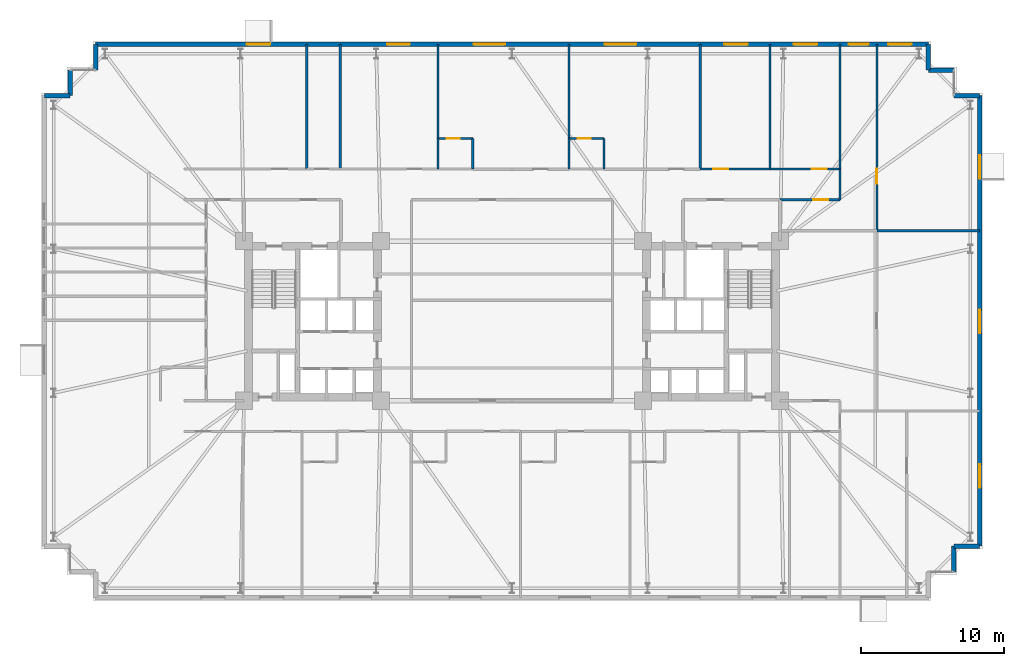
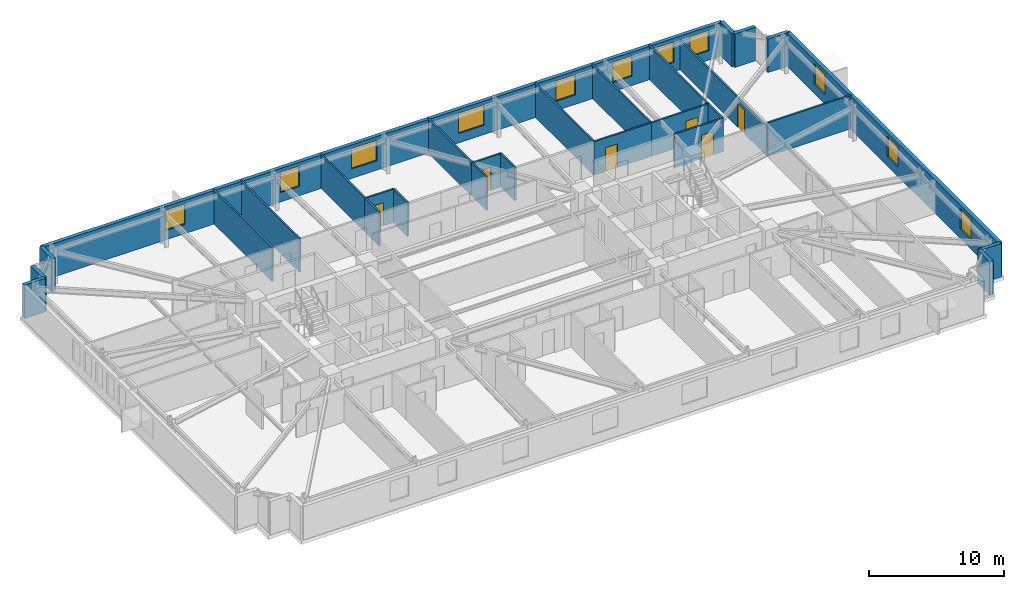
# One storey, part 18 of 21: 29 walls, 11 windows, 6 doors, 17 openings.
"""IFC4 building model written with IfcOpenShell, lengths in metres."""

from ifc_helpers import new_model, si_unit, direction, frame, frame_2d, origin, place, context, subcontext, project, spatial, rectangle, extrude, material, layer, layer_set, type_object, element, fill, save


model = new_model("IFC4")

# Units and contexts
model_context = context("Model", 3, precision=1e-05, world=origin(), true_north=direction((0.0, 1.0)))
body_context = subcontext(model_context, "Body", "Model", "MODEL_VIEW")
ifc_project = project(units=[si_unit("LENGTHUNIT", "METRE"), si_unit("AREAUNIT", "SQUARE_METRE"), si_unit("VOLUMEUNIT", "CUBIC_METRE"), si_unit("PLANEANGLEUNIT", "RADIAN"), si_unit("MASSUNIT", "GRAM", prefix="KILO")], contexts=[model_context])

# Site, building, storey
site_placement = place(None, origin())
site = spatial("IfcSite", under=ifc_project, at=site_placement, CompositionType="ELEMENT")
building_placement = place(site_placement, origin())
building = spatial("IfcBuilding", under=site, at=building_placement, Name="Qobustan Lattice House", CompositionType="ELEMENT")
storey_placement = place(building_placement, frame((0.0, 0.0, 37.050048828125)))
storey = spatial("IfcBuildingStorey", under=building, at=storey_placement, Name="L09", CompositionType="ELEMENT", Elevation=37.050048828125)

# Walls
ifc_material_1 = material(Name="Precast concrete C40/50", Category="concrete")
ifc_layer_1 = layer(ifc_material_1, 0.320068359375)
ifc_layer_set_1 = layer_set([ifc_layer_1], Name="Precast concrete C40/50")
wall_type_1 = type_object("IfcWallType", Name="WAL-EXT-STONE-320", PredefinedType="SOLIDWALL", material=ifc_layer_set_1)
for number, where, z_axis, x_axis, name in (
    (1, (-32.800048828125, 15.800048828125, 0.0), (0.0, 0.0, 1.0), (1.0, 0.0, 0.0), "L09 exterior limestone-clad wall 6"),
    (2, (-31.0, 15.800048828125, 0.0), (0.0, 0.0, 1.0), (0.0, 1.0, 0.0), "L09 exterior limestone-clad wall 7"),
):
    element("IfcWall", number, at=place(storey_placement, frame(where, z_axis=z_axis, x_axis=x_axis)), inside=storey, type_object=wall_type_1, Name=name, PredefinedType="SOLIDWALL", context=body_context, shape_type="SweptSolid", body=[
        extrude(rectangle(XDim=1.800048828125, YDim=0.320068359375, at=frame_2d((0.89990234375, 0.0))), origin(), (0.0, 0.0, 1.0), 3.034912109375),
    ])
wall_1_placement = place(storey_placement, frame((-29.199951171875, 17.60009765625, 0.0), z_axis=(0.0, 0.0, 1.0), x_axis=(0.0, 1.0, 0.0)))
element("IfcWall", 3, at=wall_1_placement, inside=storey, type_object=wall_type_1, Name="L09 exterior limestone-clad wall 9", PredefinedType="SOLIDWALL", context=body_context, shape_type="SweptSolid", body=[
    extrude(rectangle(XDim=1.7998046875, YDim=0.320068359375, at=frame_2d((0.89990234375, 0.0))), origin(), (0.0, 0.0, 1.0), 3.034912109375),
])

# Wall, openings, windows
wall_2_placement = place(storey_placement, frame((-29.199951171875, 19.39990234375, 0.0), z_axis=(0.0, 0.0, 1.0), x_axis=(1.0, 0.0, 0.0)))
wall_2 = element("IfcWall", 4, at=wall_2_placement, inside=storey, type_object=wall_type_1, Name="L09 exterior limestone-clad wall 10", PredefinedType="SOLIDWALL", context=body_context, shape_type="SweptSolid", body=[
    extrude(rectangle(XDim=58.39990234375, YDim=0.320068359375, at=frame_2d((29.199951171875, 0.0))), origin(), (0.0, 0.0, 1.0), 3.034912109375),
])
opening_1_placement = place(wall_2_placement, frame((10.596435546875, 0.0, 0.85009765625)))
opening_1 = element("IfcOpeningElement", 5, at=opening_1_placement, cuts=wall_2, Name="Opening WN-09", PredefinedType="OPENING", context=body_context, shape_type="SweptSolid", body=[
    extrude(rectangle(XDim=1.64990234375, YDim=1.85009765625, at=frame_2d((0.824951171875, 0.925048828125))), frame((0.0, 0.169921875, 0.0), z_axis=(0.0, -1.0, 0.0), x_axis=(1.0, 0.0, 0.0)), (0.0, 0.0, 1.0), 0.340087890625),
])
opening_2_placement = place(wall_2_placement, frame((20.445068359375, 0.0, 0.85009765625)))
opening_2 = element("IfcOpeningElement", 6, at=opening_2_placement, cuts=wall_2, Name="Opening WN-13", PredefinedType="OPENING", context=body_context, shape_type="SweptSolid", body=[
    extrude(rectangle(XDim=1.60009765625, YDim=1.85009765625, at=frame_2d((0.800048828125, 0.925048828125))), frame((0.0, 0.169921875, 0.0), z_axis=(0.0, -1.0, 0.0), x_axis=(1.0, 0.0, 0.0)), (0.0, 0.0, 1.0), 0.340087890625),
])
opening_3_placement = place(wall_2_placement, frame((26.51611328125, 0.0, 0.85009765625)))
opening_3 = element("IfcOpeningElement", 7, at=opening_3_placement, cuts=wall_2, Name="Opening WN-03", PredefinedType="OPENING", context=body_context, shape_type="SweptSolid", body=[
    extrude(rectangle(XDim=2.199951171875, YDim=1.85009765625, at=frame_2d((1.10009765625, 0.925048828125))), frame((0.0, 0.169921875, 0.0), z_axis=(0.0, -1.0, 0.0), x_axis=(1.0, 0.0, 0.0)), (0.0, 0.0, 1.0), 0.340087890625),
])
opening_4_placement = place(wall_2_placement, frame((35.716064453125, 0.0, 0.85009765625)))
opening_4 = element("IfcOpeningElement", 8, at=opening_4_placement, cuts=wall_2, Name="Opening WN-03", PredefinedType="OPENING", context=body_context, shape_type="SweptSolid", body=[
    extrude(rectangle(XDim=2.199951171875, YDim=1.85009765625, at=frame_2d((1.10009765625, 0.925048828125))), frame((0.0, 0.169921875, 0.0), z_axis=(0.0, -1.0, 0.0), x_axis=(1.0, 0.0, 0.0)), (0.0, 0.0, 1.0), 0.340087890625),
])
opening_5_placement = place(wall_2_placement, frame((44.094970703125, 0.0, 0.85009765625)))
opening_5 = element("IfcOpeningElement", 9, at=opening_5_placement, cuts=wall_2, Name="Opening WN-09", PredefinedType="OPENING", context=body_context, shape_type="SweptSolid", body=[
    extrude(rectangle(XDim=1.64990234375, YDim=1.85009765625, at=frame_2d((0.824951171875, 0.925048828125))), frame((0.0, 0.169921875, 0.0), z_axis=(0.0, -1.0, 0.0), x_axis=(1.0, 0.0, 0.0)), (0.0, 0.0, 1.0), 0.340087890625),
])
opening_6_placement = place(wall_2_placement, frame((48.97509765625, 0.0, 0.85009765625)))
opening_6 = element("IfcOpeningElement", 10, at=opening_6_placement, cuts=wall_2, Name="Opening WN-09", PredefinedType="OPENING", context=body_context, shape_type="SweptSolid", body=[
    extrude(rectangle(XDim=1.64990234375, YDim=1.85009765625, at=frame_2d((0.824951171875, 0.925048828125))), frame((0.0, 0.169921875, 0.0), z_axis=(0.0, -1.0, 0.0), x_axis=(1.0, 0.0, 0.0)), (0.0, 0.0, 1.0), 0.340087890625),
])
opening_7_placement = place(wall_2_placement, frame((52.820068359375, 0.0, 0.85009765625)))
opening_7 = element("IfcOpeningElement", 11, at=opening_7_placement, cuts=wall_2, Name="Opening WN-12", PredefinedType="OPENING", context=body_context, shape_type="SweptSolid", body=[
    extrude(rectangle(XDim=1.39990234375, YDim=1.85009765625, at=frame_2d((0.699951171875, 0.925048828125))), frame((0.0, 0.169921875, 0.0), z_axis=(0.0, -1.0, 0.0), x_axis=(1.0, 0.0, 0.0)), (0.0, 0.0, 1.0), 0.340087890625),
])
opening_8_placement = place(wall_2_placement, frame((55.574951171875, 0.0, 0.85009765625)))
opening_8 = element("IfcOpeningElement", 12, at=opening_8_placement, cuts=wall_2, Name="Opening WN-09", PredefinedType="OPENING", context=body_context, shape_type="SweptSolid", body=[
    extrude(rectangle(XDim=1.64990234375, YDim=1.85009765625, at=frame_2d((0.824951171875, 0.925048828125))), frame((0.0, 0.169921875, 0.0), z_axis=(0.0, -1.0, 0.0), x_axis=(1.0, 0.0, 0.0)), (0.0, 0.0, 1.0), 0.340087890625),
])
ifc_material_2 = material(Name="Double-glazed low-E aluminium window", Category="aluminium")
window_type_1 = type_object("IfcWindowType", Name="WIN-BED-1400x1850", PartitioningType="SINGLE_PANEL", PredefinedType="WINDOW", material=ifc_material_2)
window_1_placement = place(opening_7_placement, origin())
window_1 = element("IfcWindow", 13, at=window_1_placement, inside=storey, type_object=window_type_1, Name="L09 Focus study room E3A window", OverallHeight=1.85009765625, OverallWidth=1.39990234375, PartitioningType="SINGLE_PANEL", PredefinedType="WINDOW", context=body_context, shape_type="SweptSolid", body=[
    extrude(rectangle(XDim=1.39990234375, YDim=1.85009765625, at=frame_2d((0.699951171875, 0.925048828125))), frame((0.0, 0.030029296875, 0.0), z_axis=(0.0, -1.0, 0.0), x_axis=(1.0, 0.0, 0.0)), (0.0, 0.0, 1.0), 0.06005859375),
])
fill(opening_7, window_1)
ifc_material_3 = material(Name="Double-glazed low-E aluminium window", Category="aluminium")
window_type_2 = type_object("IfcWindowType", Name="WIN-BED-1600x1850", PartitioningType="SINGLE_PANEL", PredefinedType="WINDOW", material=ifc_material_3)
window_2_placement = place(opening_2_placement, origin())
window_2 = element("IfcWindow", 14, at=window_2_placement, inside=storey, type_object=window_type_2, Name="L09 Laundry utility room window", OverallHeight=1.85009765625, OverallWidth=1.60009765625, PartitioningType="SINGLE_PANEL", PredefinedType="WINDOW", context=body_context, shape_type="SweptSolid", body=[
    extrude(rectangle(XDim=1.60009765625, YDim=1.85009765625, at=frame_2d((0.800048828125, 0.925048828125))), frame((0.0, 0.030029296875, 0.0), z_axis=(0.0, -1.0, 0.0), x_axis=(1.0, 0.0, 0.0)), (0.0, 0.0, 1.0), 0.06005859375),
])
fill(opening_2, window_2)
ifc_material_4 = material(Name="Double-glazed low-E aluminium window", Category="aluminium")
window_type_3 = type_object("IfcWindowType", Name="WIN-STU-1650x1850", PartitioningType="SINGLE_PANEL", PredefinedType="WINDOW", material=ifc_material_4)
window_3_placement = place(opening_1_placement, origin())
window_3 = element("IfcWindow", 15, at=window_3_placement, inside=storey, type_object=window_type_3, Name="L09 Focus study room N1 window", OverallHeight=1.85009765625, OverallWidth=1.64990234375, PartitioningType="SINGLE_PANEL", PredefinedType="WINDOW", context=body_context, shape_type="SweptSolid", body=[
    extrude(rectangle(XDim=1.64990234375, YDim=1.85009765625, at=frame_2d((0.824951171875, 0.925048828125))), frame((0.0, 0.030029296875, 0.0), z_axis=(0.0, -1.0, 0.0), x_axis=(1.0, 0.0, 0.0)), (0.0, 0.0, 1.0), 0.06005859375),
])
fill(opening_1, window_3)
window_4_placement = place(opening_5_placement, origin())
window_4 = element("IfcWindow", 16, at=window_4_placement, inside=storey, type_object=window_type_3, Name="L09 Focus study room N5A window", OverallHeight=1.85009765625, OverallWidth=1.64990234375, PartitioningType="SINGLE_PANEL", PredefinedType="WINDOW", context=body_context, shape_type="SweptSolid", body=[
    extrude(rectangle(XDim=1.64990234375, YDim=1.85009765625, at=frame_2d((0.824951171875, 0.925048828125))), frame((0.0, 0.030029296875, 0.0), z_axis=(0.0, -1.0, 0.0), x_axis=(1.0, 0.0, 0.0)), (0.0, 0.0, 1.0), 0.06005859375),
])
fill(opening_5, window_4)
window_5_placement = place(opening_6_placement, origin())
window_5 = element("IfcWindow", 17, at=window_5_placement, inside=storey, type_object=window_type_3, Name="L09 Focus study room N5B window", OverallHeight=1.85009765625, OverallWidth=1.64990234375, PartitioningType="SINGLE_PANEL", PredefinedType="WINDOW", context=body_context, shape_type="SweptSolid", body=[
    extrude(rectangle(XDim=1.64990234375, YDim=1.85009765625, at=frame_2d((0.824951171875, 0.925048828125))), frame((0.0, 0.030029296875, 0.0), z_axis=(0.0, -1.0, 0.0), x_axis=(1.0, 0.0, 0.0)), (0.0, 0.0, 1.0), 0.06005859375),
])
fill(opening_6, window_5)
window_6_placement = place(opening_8_placement, origin())
window_6 = element("IfcWindow", 18, at=window_6_placement, inside=storey, type_object=window_type_3, Name="L09 Focus study room E3B window", OverallHeight=1.85009765625, OverallWidth=1.64990234375, PartitioningType="SINGLE_PANEL", PredefinedType="WINDOW", context=body_context, shape_type="SweptSolid", body=[
    extrude(rectangle(XDim=1.64990234375, YDim=1.85009765625, at=frame_2d((0.824951171875, 0.925048828125))), frame((0.0, 0.030029296875, 0.0), z_axis=(0.0, -1.0, 0.0), x_axis=(1.0, 0.0, 0.0)), (0.0, 0.0, 1.0), 0.06005859375),
])
fill(opening_8, window_6)
ifc_material_5 = material(Name="Double-glazed low-E aluminium window", Category="aluminium")
window_type_4 = type_object("IfcWindowType", Name="WIN-WIDE-2200x1850", PartitioningType="SINGLE_PANEL", PredefinedType="WINDOW", material=ifc_material_5)
window_7_placement = place(opening_3_placement, origin())
window_7 = element("IfcWindow", 19, at=window_7_placement, inside=storey, type_object=window_type_4, Name="L09 Kitchenette and studio apartment L09-N3 window", OverallHeight=1.85009765625, OverallWidth=2.199951171875, PartitioningType="SINGLE_PANEL", PredefinedType="WINDOW", context=body_context, shape_type="SweptSolid", body=[
    extrude(rectangle(XDim=2.199951171875, YDim=1.85009765625, at=frame_2d((1.10009765625, 0.925048828125))), frame((0.0, 0.030029296875, 0.0), z_axis=(0.0, -1.0, 0.0), x_axis=(1.0, 0.0, 0.0)), (0.0, 0.0, 1.0), 0.06005859375),
])
fill(opening_3, window_7)
window_8_placement = place(opening_4_placement, origin())
window_8 = element("IfcWindow", 20, at=window_8_placement, inside=storey, type_object=window_type_4, Name="L09 Kitchenette and studio apartment L09-N4 window", OverallHeight=1.85009765625, OverallWidth=2.199951171875, PartitioningType="SINGLE_PANEL", PredefinedType="WINDOW", context=body_context, shape_type="SweptSolid", body=[
    extrude(rectangle(XDim=2.199951171875, YDim=1.85009765625, at=frame_2d((1.10009765625, 0.925048828125))), frame((0.0, 0.030029296875, 0.0), z_axis=(0.0, -1.0, 0.0), x_axis=(1.0, 0.0, 0.0)), (0.0, 0.0, 1.0), 0.06005859375),
])
fill(opening_4, window_8)

# Walls
wall_3_placement = place(storey_placement, frame((29.199951171875, 19.39990234375, 0.0), z_axis=(0.0, 0.0, 1.0), x_axis=(0.0, -1.0, 0.0)))
element("IfcWall", 21, at=wall_3_placement, inside=storey, type_object=wall_type_1, Name="L09 exterior limestone-clad wall 11", PredefinedType="SOLIDWALL", context=body_context, shape_type="SweptSolid", body=[
    extrude(rectangle(XDim=1.7998046875, YDim=0.320068359375, at=frame_2d((0.89990234375, 0.0))), origin(), (0.0, 0.0, 1.0), 3.034912109375),
])
for number, where, z_axis, x_axis, name in (
    (22, (29.199951171875, 17.60009765625, 0.0), (0.0, 0.0, 1.0), (1.0, 0.0, 0.0), "L09 exterior limestone-clad wall 12"),
    (23, (31.0, 15.800048828125, 0.0), (0.0, 0.0, 1.0), (1.0, 0.0, 0.0), "L09 exterior limestone-clad wall 14"),
):
    element("IfcWall", number, at=place(storey_placement, frame(where, z_axis=z_axis, x_axis=x_axis)), inside=storey, type_object=wall_type_1, Name=name, PredefinedType="SOLIDWALL", context=body_context, shape_type="SweptSolid", body=[
        extrude(rectangle(XDim=1.800048828125, YDim=0.320068359375, at=frame_2d((0.89990234375, 0.0))), origin(), (0.0, 0.0, 1.0), 3.034912109375),
    ])

# Wall, openings, windows
wall_4_placement = place(storey_placement, frame((32.800048828125, 15.800048828125, 0.0), z_axis=(0.0, 0.0, 1.0), x_axis=(0.0, -1.0, 0.0)))
wall_4 = element("IfcWall", 24, at=wall_4_placement, inside=storey, type_object=wall_type_1, Name="L09 exterior limestone-clad wall 15", PredefinedType="SOLIDWALL", context=body_context, shape_type="SweptSolid", body=[
    extrude(rectangle(XDim=31.60009765625, YDim=0.320068359375, at=frame_2d((15.800048828125, 0.0))), origin(), (0.0, 0.0, 1.0), 3.034912109375),
])
opening_9_placement = place(wall_4_placement, frame((4.175048828125, 0.0, 0.85009765625)))
opening_9 = element("IfcOpeningElement", 25, at=opening_9_placement, cuts=wall_4, Name="Opening WN-09", PredefinedType="OPENING", context=body_context, shape_type="SweptSolid", body=[
    extrude(rectangle(XDim=1.64990234375, YDim=1.85009765625, at=frame_2d((0.824951171875, 0.925048828125))), frame((0.0, 0.169921875, 0.0), z_axis=(0.0, -1.0, 0.0), x_axis=(1.0, 0.0, 0.0)), (0.0, 0.0, 1.0), 0.340087890625),
])
opening_10_placement = place(wall_4_placement, frame((15.014892578125, 0.0, 0.85009765625)))
opening_10 = element("IfcOpeningElement", 26, at=opening_10_placement, cuts=wall_4, Name="Opening WN-09", PredefinedType="OPENING", context=body_context, shape_type="SweptSolid", body=[
    extrude(rectangle(XDim=1.64990234375, YDim=1.85009765625, at=frame_2d((0.824951171875, 0.925048828125))), frame((0.0, 0.169921875, 0.0), z_axis=(0.0, -1.0, 0.0), x_axis=(1.0, 0.0, 0.0)), (0.0, 0.0, 1.0), 0.340087890625),
])
opening_11_placement = place(wall_4_placement, frame((25.85498046875, 0.0, 0.85009765625)))
opening_11 = element("IfcOpeningElement", 27, at=opening_11_placement, cuts=wall_4, Name="Opening WN-09", PredefinedType="OPENING", context=body_context, shape_type="SweptSolid", body=[
    extrude(rectangle(XDim=1.64990234375, YDim=1.85009765625, at=frame_2d((0.824951171875, 0.925048828125))), frame((0.0, 0.169921875, 0.0), z_axis=(0.0, -1.0, 0.0), x_axis=(1.0, 0.0, 0.0)), (0.0, 0.0, 1.0), 0.340087890625),
])
window_9_placement = place(opening_9_placement, origin())
window_9 = element("IfcWindow", 28, at=window_9_placement, inside=storey, type_object=window_type_3, Name="L09 Focus study room E3B window", OverallHeight=1.85009765625, OverallWidth=1.64990234375, PartitioningType="SINGLE_PANEL", PredefinedType="WINDOW", context=body_context, shape_type="SweptSolid", body=[
    extrude(rectangle(XDim=1.64990234375, YDim=1.85009765625, at=frame_2d((0.824951171875, 0.925048828125))), frame((0.0, 0.030029296875, 0.0), z_axis=(0.0, -1.0, 0.0), x_axis=(1.0, 0.0, 0.0)), (0.0, 0.0, 1.0), 0.06005859375),
])
fill(opening_9, window_9)
window_10_placement = place(opening_10_placement, origin())
window_10 = element("IfcWindow", 29, at=window_10_placement, inside=storey, type_object=window_type_3, Name="L09 Focus study room E2B window", OverallHeight=1.85009765625, OverallWidth=1.64990234375, PartitioningType="SINGLE_PANEL", PredefinedType="WINDOW", context=body_context, shape_type="SweptSolid", body=[
    extrude(rectangle(XDim=1.64990234375, YDim=1.85009765625, at=frame_2d((0.824951171875, 0.925048828125))), frame((0.0, 0.030029296875, 0.0), z_axis=(0.0, -1.0, 0.0), x_axis=(1.0, 0.0, 0.0)), (0.0, 0.0, 1.0), 0.06005859375),
])
fill(opening_10, window_10)
window_11_placement = place(opening_11_placement, origin())
window_11 = element("IfcWindow", 30, at=window_11_placement, inside=storey, type_object=window_type_3, Name="L09 Focus study room E1B window", OverallHeight=1.85009765625, OverallWidth=1.64990234375, PartitioningType="SINGLE_PANEL", PredefinedType="WINDOW", context=body_context, shape_type="SweptSolid", body=[
    extrude(rectangle(XDim=1.64990234375, YDim=1.85009765625, at=frame_2d((0.824951171875, 0.925048828125))), frame((0.0, 0.030029296875, 0.0), z_axis=(0.0, -1.0, 0.0), x_axis=(1.0, 0.0, 0.0)), (0.0, 0.0, 1.0), 0.06005859375),
])
fill(opening_11, window_11)

# Walls
for number, where, z_axis, x_axis, name in (
    (31, (32.800048828125, -15.800048828125, 0.0), (0.0, 0.0, 1.0), (-1.0, 0.0, 0.0), "L09 exterior limestone-clad wall 16"),
    (32, (31.0, -15.800048828125, 0.0), (0.0, 0.0, 1.0), (0.0, -1.0, 0.0), "L09 exterior limestone-clad wall 17"),
):
    element("IfcWall", number, at=place(storey_placement, frame(where, z_axis=z_axis, x_axis=x_axis)), inside=storey, type_object=wall_type_1, Name=name, PredefinedType="SOLIDWALL", context=body_context, shape_type="SweptSolid", body=[
        extrude(rectangle(XDim=1.800048828125, YDim=0.320068359375, at=frame_2d((0.89990234375, 0.0))), origin(), (0.0, 0.0, 1.0), 3.034912109375),
    ])

# Wall, opening, door
ifc_material_6 = material(Name="Acoustic twin-stud gypsum partition", Category="gypsum")
ifc_layer_2 = layer(ifc_material_6, 0.14990234375)
ifc_layer_set_2 = layer_set([ifc_layer_2], Name="Acoustic twin-stud gypsum partition")
wall_type_2 = type_object("IfcWallType", Name="WAL-PART-150", PredefinedType="PARTITIONING", material=ifc_layer_set_2)
wall_5_placement = place(storey_placement, frame((23.0, 8.5, 0.0), z_axis=(0.0, 0.0, 1.0), x_axis=(-1.0, 0.0, 0.0)))
wall_5 = element("IfcWall", 33, at=wall_5_placement, inside=storey, type_object=wall_type_2, Name="L09 interior partition 45", PredefinedType="PARTITIONING", context=body_context, shape_type="SweptSolid", body=[
    extrude(rectangle(XDim=4.199951171875, YDim=0.14990234375, at=frame_2d((2.10009765625, 0.0))), origin(), (0.0, 0.0, 1.0), 3.034912109375),
])
opening_12_placement = place(wall_5_placement, frame((0.82861328125, 0.0, 0.0)))
opening_12 = element("IfcOpeningElement", 34, at=opening_12_placement, cuts=wall_5, Name="Opening ID-02", PredefinedType="OPENING", context=body_context, shape_type="SweptSolid", body=[
    extrude(rectangle(XDim=1.050048828125, YDim=2.14990234375, at=frame_2d((0.52490234375, 1.074951171875))), frame((0.0, 0.0849609375, 0.0), z_axis=(0.0, -1.0, 0.0), x_axis=(1.0, 0.0, 0.0)), (0.0, 0.0, 1.0), 0.169921875),
])
ifc_material_7 = material(Name="Persian walnut timber and steel frame door", Category="steel")
door_type_1 = type_object("IfcDoorType", Name="DOR-STUDY-1050x2150", OperationType="NOTDEFINED", PredefinedType="DOOR", material=ifc_material_7)
door_1_placement = place(opening_12_placement, origin())
door_1 = element("IfcDoor", 35, at=door_1_placement, inside=storey, type_object=door_type_1, Name="L09 North-east floor corridor to Focus study room E3A door", OperationType="SINGLE_SWING_LEFT", OverallHeight=2.14990234375, OverallWidth=1.050048828125, PredefinedType="DOOR", context=body_context, shape_type="SweptSolid", body=[
    extrude(rectangle(XDim=1.050048828125, YDim=2.14990234375, at=frame_2d((0.52490234375, 1.074951171875))), frame((0.0, 0.02490234375, 0.0), z_axis=(0.0, -1.0, 0.0), x_axis=(1.0, 0.0, 0.0)), (0.0, 0.0, 1.0), 0.050048828125),
])
fill(opening_12, door_1)

# Wall
wall_6_placement = place(storey_placement, frame((23.0, 10.64990234375, 0.0), z_axis=(0.0, 0.0, 1.0), x_axis=(0.0, -1.0, 0.0)))
element("IfcWall", 36, at=wall_6_placement, inside=storey, type_object=wall_type_2, Name="L09 interior partition 46", PredefinedType="PARTITIONING", context=body_context, shape_type="SweptSolid", body=[
    extrude(rectangle(XDim=2.14990234375, YDim=0.14990234375, at=frame_2d((1.074951171875, 0.0))), origin(), (0.0, 0.0, 1.0), 3.034912109375),
])

# Wall, opening, door
wall_7_placement = place(storey_placement, frame((13.199951171875, 10.64990234375, 0.0), z_axis=(0.0, 0.0, 1.0), x_axis=(1.0, 0.0, 0.0)))
wall_7 = element("IfcWall", 37, at=wall_7_placement, inside=storey, type_object=wall_type_2, Name="L09 interior partition 50", PredefinedType="PARTITIONING", context=body_context, shape_type="SweptSolid", body=[
    extrude(rectangle(XDim=4.900146484375, YDim=0.14990234375, at=frame_2d((2.4501953125, 0.0))), origin(), (0.0, 0.0, 1.0), 3.034912109375),
])
opening_13_placement = place(wall_7_placement, frame((0.916259765625, 0.0, 0.0)))
opening_13 = element("IfcOpeningElement", 38, at=opening_13_placement, cuts=wall_7, Name="Opening ID-02", PredefinedType="OPENING", context=body_context, shape_type="SweptSolid", body=[
    extrude(rectangle(XDim=1.050048828125, YDim=2.14990234375, at=frame_2d((0.52490234375, 1.074951171875))), frame((0.0, 0.0849609375, 0.0), z_axis=(0.0, -1.0, 0.0), x_axis=(1.0, 0.0, 0.0)), (0.0, 0.0, 1.0), 0.169921875),
])
door_2_placement = place(opening_13_placement, origin())
door_2 = element("IfcDoor", 39, at=door_2_placement, inside=storey, type_object=door_type_1, Name="L09 North-east floor corridor to Focus study room N5A door", OperationType="SINGLE_SWING_RIGHT", OverallHeight=2.14990234375, OverallWidth=1.050048828125, PredefinedType="DOOR", context=body_context, shape_type="SweptSolid", body=[
    extrude(rectangle(XDim=1.050048828125, YDim=2.14990234375, at=frame_2d((0.52490234375, 1.074951171875))), frame((0.0, 0.02490234375, 0.0), z_axis=(0.0, -1.0, 0.0), x_axis=(1.0, 0.0, 0.0)), (0.0, 0.0, 1.0), 0.050048828125),
])
fill(opening_13, door_2)

wall_8_placement = place(storey_placement, frame((18.10009765625, 10.64990234375, 0.0), z_axis=(0.0, 0.0, 1.0), x_axis=(1.0, 0.0, 0.0)))
wall_8 = element("IfcWall", 40, at=wall_8_placement, inside=storey, type_object=wall_type_2, Name="L09 interior partition 51", PredefinedType="PARTITIONING", context=body_context, shape_type="SweptSolid", body=[
    extrude(rectangle(XDim=4.89990234375, YDim=0.14990234375, at=frame_2d((2.449951171875, 0.0))), origin(), (0.0, 0.0, 1.0), 3.034912109375),
])
opening_14_placement = place(wall_8_placement, frame((2.93359375, 0.0, 0.0)))
opening_14 = element("IfcOpeningElement", 41, at=opening_14_placement, cuts=wall_8, Name="Opening ID-02", PredefinedType="OPENING", context=body_context, shape_type="SweptSolid", body=[
    extrude(rectangle(XDim=1.050048828125, YDim=2.14990234375, at=frame_2d((0.52490234375, 1.074951171875))), frame((0.0, 0.0849609375, 0.0), z_axis=(0.0, -1.0, 0.0), x_axis=(1.0, 0.0, 0.0)), (0.0, 0.0, 1.0), 0.169921875),
])
door_3_placement = place(opening_14_placement, origin())
door_3 = element("IfcDoor", 42, at=door_3_placement, inside=storey, type_object=door_type_1, Name="L09 North-east floor corridor to Focus study room N5B door", OperationType="SINGLE_SWING_LEFT", OverallHeight=2.14990234375, OverallWidth=1.050048828125, PredefinedType="DOOR", context=body_context, shape_type="SweptSolid", body=[
    extrude(rectangle(XDim=1.050048828125, YDim=2.14990234375, at=frame_2d((0.52490234375, 1.074951171875))), frame((0.0, 0.02490234375, 0.0), z_axis=(0.0, -1.0, 0.0), x_axis=(1.0, 0.0, 0.0)), (0.0, 0.0, 1.0), 0.050048828125),
])
fill(opening_14, door_3)

# Wall
wall_9_placement = place(storey_placement, frame((25.590087890625, 6.326904296875, 0.0), z_axis=(0.0, 0.0, 1.0), x_axis=(1.0, 0.0, 0.0)))
element("IfcWall", 43, at=wall_9_placement, inside=storey, type_object=wall_type_2, Name="L09 interior partition 98", PredefinedType="PARTITIONING", context=body_context, shape_type="SweptSolid", body=[
    extrude(rectangle(XDim=7.2099609375, YDim=0.14990234375, at=frame_2d((3.60498046875, 0.0))), origin(), (0.0, 0.0, 1.0), 3.034912109375),
])

# Wall, opening, door
wall_10_placement = place(storey_placement, frame((25.590087890625, 19.39990234375, 0.0), z_axis=(0.0, 0.0, 1.0), x_axis=(0.0, -1.0, 0.0)))
wall_10 = element("IfcWall", 44, at=wall_10_placement, inside=storey, type_object=wall_type_2, Name="L09 interior partition 99", PredefinedType="PARTITIONING", context=body_context, shape_type="SweptSolid", body=[
    extrude(rectangle(XDim=13.072998046875, YDim=0.14990234375, at=frame_2d((6.53662109375, 0.0))), origin(), (0.0, 0.0, 1.0), 2.68994140625),
])
opening_15_placement = place(wall_10_placement, frame((8.727294921875, 0.0, 0.0)))
opening_15 = element("IfcOpeningElement", 45, at=opening_15_placement, cuts=wall_10, Name="Opening ID-02", PredefinedType="OPENING", context=body_context, shape_type="SweptSolid", body=[
    extrude(rectangle(XDim=1.050048828125, YDim=2.14990234375, at=frame_2d((0.52490234375, 1.074951171875))), frame((0.0, 0.0849609375, 0.0), z_axis=(0.0, -1.0, 0.0), x_axis=(1.0, 0.0, 0.0)), (0.0, 0.0, 1.0), 0.169921875),
])
door_4_placement = place(opening_15_placement, origin())
door_4 = element("IfcDoor", 46, at=door_4_placement, inside=storey, type_object=door_type_1, Name="L09 Focus study room E3A to Focus study room E3B door", OperationType="SINGLE_SWING_RIGHT", OverallHeight=2.14990234375, OverallWidth=1.050048828125, PredefinedType="DOOR", context=body_context, shape_type="SweptSolid", body=[
    extrude(rectangle(XDim=1.050048828125, YDim=2.14990234375, at=frame_2d((0.52490234375, 1.074951171875))), frame((0.0, 0.02490234375, 0.0), z_axis=(0.0, -1.0, 0.0), x_axis=(1.0, 0.0, 0.0)), (0.0, 0.0, 1.0), 0.050048828125),
])
fill(opening_15, door_4)

# Walls
wall_11_placement = place(storey_placement, frame((23.0, 10.64990234375, 0.0), z_axis=(0.0, 0.0, 1.0), x_axis=(0.0, 1.0, 0.0)))
element("IfcWall", 47, at=wall_11_placement, inside=storey, type_object=wall_type_2, Name="L09 interior partition 100", PredefinedType="PARTITIONING", context=body_context, shape_type="SweptSolid", body=[
    extrude(rectangle(XDim=8.75, YDim=0.14990234375, at=frame_2d((4.375, 0.0))), origin(), (0.0, 0.0, 1.0), 3.034912109375),
])
for number, where, z_axis, x_axis, name in (
    (48, (-5.199951171875, 19.39990234375, 0.0), (0.0, 0.0, 1.0), (0.0, -1.0, 0.0), "L09 interior partition 103"),
    (49, (4.0, 19.39990234375, 0.0), (0.0, 0.0, 1.0), (0.0, -1.0, 0.0), "L09 interior partition 107"),
):
    element("IfcWall", number, at=place(storey_placement, frame(where, z_axis=z_axis, x_axis=x_axis)), inside=storey, type_object=wall_type_2, Name=name, PredefinedType="PARTITIONING", context=body_context, shape_type="SweptSolid", body=[
        extrude(rectangle(XDim=6.599853515625, YDim=0.14990234375, at=frame_2d((3.2998046875, 0.0))), origin(), (0.0, 0.0, 1.0), 3.034912109375),
    ])
for number, where, z_axis, x_axis, name in (
    (50, (13.199951171875, 19.39990234375, 0.0), (0.0, 0.0, 1.0), (0.0, -1.0, 0.0), "L09 interior partition 111"),
    (51, (18.10009765625, 19.39990234375, 0.0), (0.0, 0.0, 1.0), (0.0, -1.0, 0.0), "L09 interior partition 112"),
):
    element("IfcWall", number, at=place(storey_placement, frame(where, z_axis=z_axis, x_axis=x_axis)), inside=storey, type_object=wall_type_2, Name=name, PredefinedType="PARTITIONING", context=body_context, shape_type="SweptSolid", body=[
        extrude(rectangle(XDim=8.75, YDim=0.14990234375, at=frame_2d((4.375, 0.0))), origin(), (0.0, 0.0, 1.0), 3.034912109375),
    ])
ifc_material_8 = material(Name="Moisture-resistant acoustic plumbing wall", Category="gypsum")
ifc_layer_3 = layer(ifc_material_8, 0.14990234375)
ifc_layer_set_3 = layer_set([ifc_layer_3], Name="Moisture-resistant acoustic plumbing wall")
wall_type_3 = type_object("IfcWallType", Name="WAL-WET-150", PredefinedType="PLUMBINGWALL", material=ifc_layer_set_3)
for number, where, z_axis, x_axis, name in (
    (52, (-14.39990234375, 19.39990234375, 0.0), (0.0, 0.0, 1.0), (0.0, -1.0, 0.0), "L09 interior partition 101"),
    (53, (-12.050048828125, 19.39990234375, 0.0), (0.0, 0.0, 1.0), (0.0, -1.0, 0.0), "L09 interior partition 102"),
):
    element("IfcWall", number, at=place(storey_placement, frame(where, z_axis=z_axis, x_axis=x_axis)), inside=storey, type_object=wall_type_3, Name=name, PredefinedType="PLUMBINGWALL", context=body_context, shape_type="SweptSolid", body=[
        extrude(rectangle(XDim=8.75, YDim=0.14990234375, at=frame_2d((4.375, 0.0))), origin(), (0.0, 0.0, 1.0), 3.034912109375),
    ])
wall_12_placement = place(storey_placement, frame((-5.199951171875, 12.800048828125, 0.0), z_axis=(0.0, 0.0, 1.0), x_axis=(0.0, -1.0, 0.0)))
element("IfcWall", 54, at=wall_12_placement, inside=storey, type_object=wall_type_3, Name="L09 interior partition 104", PredefinedType="PLUMBINGWALL", context=body_context, shape_type="SweptSolid", body=[
    extrude(rectangle(XDim=2.150146484375, YDim=0.14990234375, at=frame_2d((1.0751953125, 0.0))), origin(), (0.0, 0.0, 1.0), 3.034912109375),
])

# Wall, opening, door
wall_13_placement = place(storey_placement, frame((-2.75, 12.800048828125, 0.0), z_axis=(0.0, 0.0, 1.0), x_axis=(-1.0, 0.0, 0.0)))
wall_13 = element("IfcWall", 55, at=wall_13_placement, inside=storey, type_object=wall_type_3, Name="L09 interior partition 105", PredefinedType="PLUMBINGWALL", context=body_context, shape_type="SweptSolid", body=[
    extrude(rectangle(XDim=2.449951171875, YDim=0.14990234375, at=frame_2d((1.22509765625, 0.0))), origin(), (0.0, 0.0, 1.0), 3.034912109375),
])
opening_16_placement = place(wall_13_placement, frame((0.92138671875, 0.0, 0.0)))
opening_16 = element("IfcOpeningElement", 56, at=opening_16_placement, cuts=wall_13, Name="Opening WD-01", PredefinedType="OPENING", context=body_context, shape_type="SweptSolid", body=[
    extrude(rectangle(XDim=0.89990234375, YDim=2.10009765625, at=frame_2d((0.449951171875, 1.050048828125))), frame((0.0, 0.0849609375, 0.0), z_axis=(0.0, -1.0, 0.0), x_axis=(1.0, 0.0, 0.0)), (0.0, 0.0, 1.0), 0.169921875),
])
ifc_material_9 = material(Name="Persian walnut timber and steel frame door", Category="steel")
door_type_2 = type_object("IfcDoorType", Name="DOR-WET-900x2100", OperationType="NOTDEFINED", PredefinedType="DOOR", material=ifc_material_9)
door_5_placement = place(opening_16_placement, origin())
door_5 = element("IfcDoor", 57, at=door_5_placement, inside=storey, type_object=door_type_2, Name="L09 Kitchenette and studio apartment L09-N3 to En-suite bathroom L09-N3 door", OperationType="SINGLE_SWING_LEFT", OverallHeight=2.10009765625, OverallWidth=0.89990234375, PredefinedType="DOOR", context=body_context, shape_type="SweptSolid", body=[
    extrude(rectangle(XDim=0.89990234375, YDim=2.10009765625, at=frame_2d((0.449951171875, 1.050048828125))), frame((0.0, 0.02490234375, 0.0), z_axis=(0.0, -1.0, 0.0), x_axis=(1.0, 0.0, 0.0)), (0.0, 0.0, 1.0), 0.050048828125),
])
fill(opening_16, door_5)

# Walls
for number, where, z_axis, x_axis, name in (
    (58, (-2.75, 10.64990234375, 0.0), (0.0, 0.0, 1.0), (0.0, 1.0, 0.0), "L09 interior partition 106"),
    (59, (4.0, 12.800048828125, 0.0), (0.0, 0.0, 1.0), (0.0, -1.0, 0.0), "L09 interior partition 108"),
):
    element("IfcWall", number, at=place(storey_placement, frame(where, z_axis=z_axis, x_axis=x_axis)), inside=storey, type_object=wall_type_3, Name=name, PredefinedType="PLUMBINGWALL", context=body_context, shape_type="SweptSolid", body=[
        extrude(rectangle(XDim=2.150146484375, YDim=0.14990234375, at=frame_2d((1.0751953125, 0.0))), origin(), (0.0, 0.0, 1.0), 3.034912109375),
    ])

# Wall, opening, door
wall_14_placement = place(storey_placement, frame((6.449951171875, 12.800048828125, 0.0), z_axis=(0.0, 0.0, 1.0), x_axis=(-1.0, 0.0, 0.0)))
wall_14 = element("IfcWall", 60, at=wall_14_placement, inside=storey, type_object=wall_type_3, Name="L09 interior partition 109", PredefinedType="PLUMBINGWALL", context=body_context, shape_type="SweptSolid", body=[
    extrude(rectangle(XDim=2.449951171875, YDim=0.14990234375, at=frame_2d((1.22509765625, 0.0))), origin(), (0.0, 0.0, 1.0), 3.034912109375),
])
opening_17_placement = place(wall_14_placement, frame((0.92138671875, 0.0, 0.0)))
opening_17 = element("IfcOpeningElement", 61, at=opening_17_placement, cuts=wall_14, Name="Opening WD-01", PredefinedType="OPENING", context=body_context, shape_type="SweptSolid", body=[
    extrude(rectangle(XDim=0.89990234375, YDim=2.10009765625, at=frame_2d((0.449951171875, 1.050048828125))), frame((0.0, 0.0849609375, 0.0), z_axis=(0.0, -1.0, 0.0), x_axis=(1.0, 0.0, 0.0)), (0.0, 0.0, 1.0), 0.169921875),
])
door_6_placement = place(opening_17_placement, origin())
door_6 = element("IfcDoor", 62, at=door_6_placement, inside=storey, type_object=door_type_2, Name="L09 Kitchenette and studio apartment L09-N4 to En-suite bathroom L09-N4 door", OperationType="SINGLE_SWING_RIGHT", OverallHeight=2.10009765625, OverallWidth=0.89990234375, PredefinedType="DOOR", context=body_context, shape_type="SweptSolid", body=[
    extrude(rectangle(XDim=0.89990234375, YDim=2.10009765625, at=frame_2d((0.449951171875, 1.050048828125))), frame((0.0, 0.02490234375, 0.0), z_axis=(0.0, -1.0, 0.0), x_axis=(1.0, 0.0, 0.0)), (0.0, 0.0, 1.0), 0.050048828125),
])
fill(opening_17, door_6)

# Wall
wall_15_placement = place(storey_placement, frame((6.449951171875, 10.64990234375, 0.0), z_axis=(0.0, 0.0, 1.0), x_axis=(0.0, 1.0, 0.0)))
element("IfcWall", 63, at=wall_15_placement, inside=storey, type_object=wall_type_3, Name="L09 interior partition 110", PredefinedType="PLUMBINGWALL", context=body_context, shape_type="SweptSolid", body=[
    extrude(rectangle(XDim=2.150146484375, YDim=0.14990234375, at=frame_2d((1.0751953125, 0.0))), origin(), (0.0, 0.0, 1.0), 3.034912109375),
])

save(model, "model.ifc")
